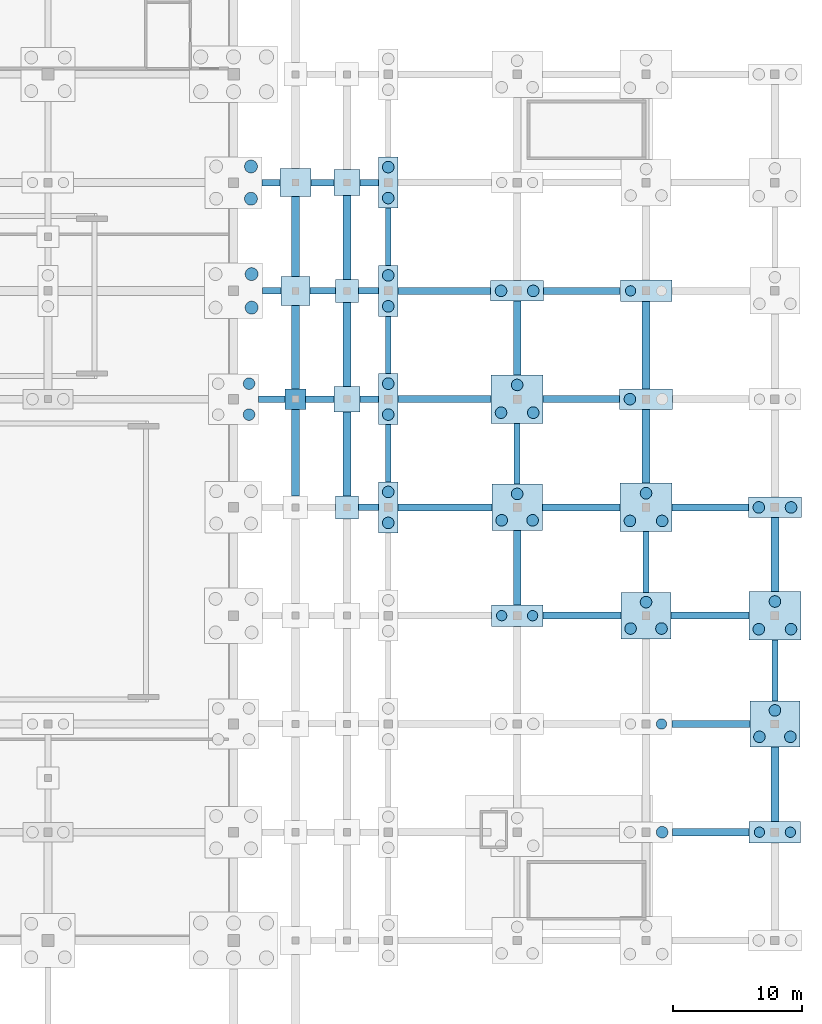
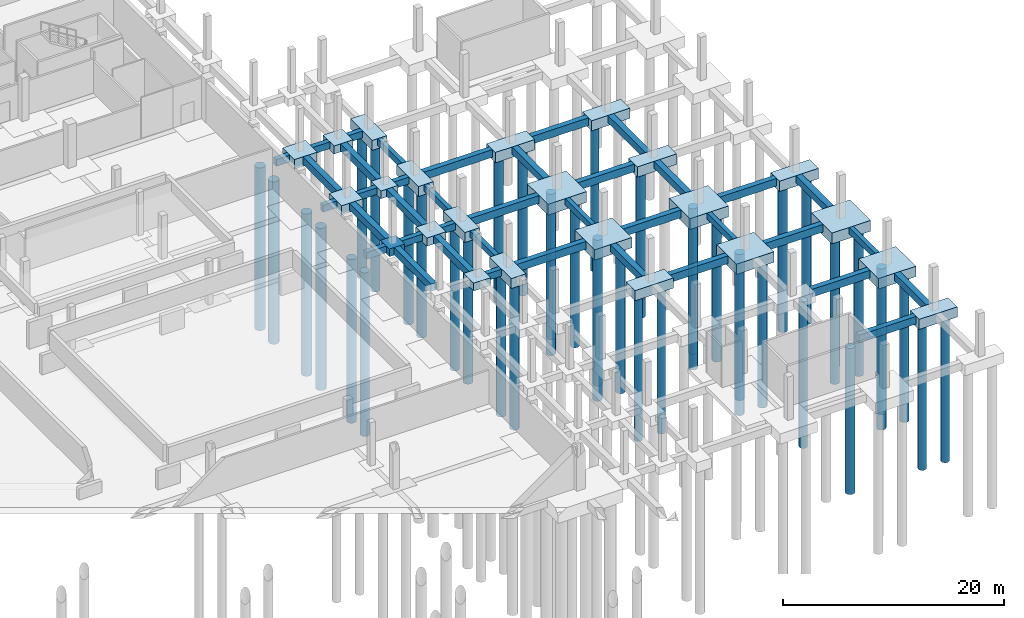
# One storey, part 8 of 26: 62 footings, 44 piles.
"""IFC4 building model written with IfcOpenShell, lengths in metres."""

from ifc_helpers import new_model, si_unit, direction, frame, origin, origin_2d, place, context, subcontext, project, spatial, rectangle, circle, extrude, material, material_profile, profile_set, type_object, element, save


model = new_model("IFC4")

# Units and contexts
model_context = context("Model", 3, precision=1e-05, world=origin(), true_north=direction((0.0, 1.0)))
body_context = subcontext(model_context, "Body", "Model", "MODEL_VIEW")
ifc_project = project(units=[si_unit("LENGTHUNIT", "METRE"), si_unit("AREAUNIT", "SQUARE_METRE"), si_unit("VOLUMEUNIT", "CUBIC_METRE"), si_unit("PLANEANGLEUNIT", "RADIAN"), si_unit("MASSUNIT", "GRAM", prefix="KILO"), si_unit("THERMODYNAMICTEMPERATUREUNIT", "KELVIN")], contexts=[model_context])

# Site, building, storey
site_placement = place(None, origin())
site = spatial("IfcSite", under=ifc_project, at=site_placement, CompositionType="ELEMENT")
building_placement = place(site_placement, origin())
building = spatial("IfcBuilding", under=site, at=building_placement, Name="Nduvali Passage Aquatics Centre", CompositionType="ELEMENT")
storey_placement = place(building_placement, frame((0.0, 0.0, -4.800048828125)))
storey = spatial("IfcBuildingStorey", under=building, at=storey_placement, Name="B01", CompositionType="ELEMENT", Elevation=-4.800048828125)

# Footings
ifc_material = material(Name="Concrete C40/50", Category="concrete")
footing_type_1 = type_object("IfcFootingType", Name="STR-GB-1", PredefinedType="FOOTING_BEAM", material=ifc_material)
footing_1_placement = place(storey_placement, frame((130.800048828125, 63.050048828125, -0.7998046875), z_axis=(0.0, 0.0, 1.0), x_axis=(0.0, 1.0, 0.0)))
element("IfcFooting", 1, at=footing_1_placement, inside=storey, type_object=footing_type_1, Name="Ground Beam Y-0258", PredefinedType="FOOTING_BEAM", context=body_context, shape_type="SweptSolid", body=[
    extrude(rectangle(XDim=6.699951171875, YDim=0.60009765625, at=origin_2d()), origin(), (0.0, 0.0, 1.0), 0.800048828125),
])
footing_2_placement = place(storey_placement, frame((130.800048828125, 71.237548828125, -0.7998046875), z_axis=(0.0, 0.0, 1.0), x_axis=(0.0, 1.0, 0.0)))
element("IfcFooting", 2, at=footing_2_placement, inside=storey, type_object=footing_type_1, Name="Ground Beam Y-0259", PredefinedType="FOOTING_BEAM", context=body_context, shape_type="SweptSolid", body=[
    extrude(rectangle(XDim=6.47509765625, YDim=0.60009765625, at=origin_2d()), origin(), (0.0, 0.0, 1.0), 0.800048828125),
])
footing_3_placement = place(storey_placement, frame((130.800048828125, 79.824951171875, -0.7998046875), z_axis=(0.0, 0.0, 1.0), x_axis=(0.0, 1.0, 0.0)))
element("IfcFooting", 3, at=footing_3_placement, inside=storey, type_object=footing_type_1, Name="Ground Beam Y-0260", PredefinedType="FOOTING_BEAM", context=body_context, shape_type="SweptSolid", body=[
    extrude(rectangle(XDim=6.199951171875, YDim=0.60009765625, at=origin_2d()), origin(), (0.0, 0.0, 1.0), 0.800048828125),
])
for number, where, z_axis, x_axis, name in (
    (4, (134.800048828125, 62.949951171875, -0.7998046875), (0.0, 0.0, 1.0), (0.0, 1.0, 0.0), "Ground Beam Y-0269"),
    (5, (134.800048828125, 71.449951171875, -0.7998046875), (0.0, 0.0, 1.0), (0.0, 1.0, 0.0), "Ground Beam Y-0270"),
    (6, (134.800048828125, 79.75, -0.7998046875), (0.0, 0.0, 1.0), (0.0, 1.0, 0.0), "Ground Beam Y-0271"),
):
    element("IfcFooting", number, at=place(storey_placement, frame(where, z_axis=z_axis, x_axis=x_axis)), inside=storey, type_object=footing_type_1, Name=name, PredefinedType="FOOTING_BEAM", context=body_context, shape_type="SweptSolid", body=[
        extrude(rectangle(XDim=6.5, YDim=0.60009765625, at=origin_2d()), origin(), (0.0, 0.0, 1.0), 0.800048828125),
    ])
footing_4_placement = place(storey_placement, frame((148.0, 54.112548828125, -0.7998046875), z_axis=(0.0, 0.0, 1.0), x_axis=(0.0, 1.0, 0.0)))
element("IfcFooting", 7, at=footing_4_placement, inside=storey, type_object=footing_type_1, Name="Ground Beam Y-0284", PredefinedType="FOOTING_BEAM", context=body_context, shape_type="SweptSolid", body=[
    extrude(rectangle(XDim=5.77490234375, YDim=0.60009765625, at=origin_2d()), origin(), (0.0, 0.0, 1.0), 0.800048828125),
])
for number, where, z_axis, x_axis, name in (
    (8, (148.0, 71.9375, -0.7998046875), (0.0, 0.0, 1.0), (0.0, 1.0, 0.0), "Ground Beam Y-0286"),
    (9, (158.0, 63.53759765625, -0.7998046875), (0.0, 0.0, 1.0), (0.0, 1.0, 0.0), "Ground Beam Y-0293"),
):
    element("IfcFooting", number, at=place(storey_placement, frame(where, z_axis=z_axis, x_axis=x_axis)), inside=storey, type_object=footing_type_1, Name=name, PredefinedType="FOOTING_BEAM", context=body_context, shape_type="SweptSolid", body=[
        extrude(rectangle(XDim=5.72509765625, YDim=0.60009765625, at=origin_2d()), origin(), (0.0, 0.0, 1.0), 0.800048828125),
    ])
footing_5_placement = place(storey_placement, frame((158.0, 71.387451171875, -0.7998046875), z_axis=(0.0, 0.0, 1.0), x_axis=(0.0, 1.0, 0.0)))
element("IfcFooting", 10, at=footing_5_placement, inside=storey, type_object=footing_type_1, Name="Ground Beam Y-0294", PredefinedType="FOOTING_BEAM", context=body_context, shape_type="SweptSolid", body=[
    extrude(rectangle(XDim=6.77490234375, YDim=0.60009765625, at=origin_2d()), origin(), (0.0, 0.0, 1.0), 0.800048828125),
])
footing_6_placement = place(storey_placement, frame((168.0, 37.3125, -0.7998046875), z_axis=(0.0, 0.0, 1.0), x_axis=(0.0, 1.0, 0.0)))
element("IfcFooting", 11, at=footing_6_placement, inside=storey, type_object=footing_type_1, Name="Ground Beam Y-0298", PredefinedType="FOOTING_BEAM", context=body_context, shape_type="SweptSolid", body=[
    extrude(rectangle(XDim=5.77490234375, YDim=0.60009765625, at=origin_2d()), origin(), (0.0, 0.0, 1.0), 0.800048828125),
])
footing_7_placement = place(storey_placement, frame((168.0, 55.137451171875, -0.7998046875), z_axis=(0.0, 0.0, 1.0), x_axis=(0.0, 1.0, 0.0)))
element("IfcFooting", 12, at=footing_7_placement, inside=storey, type_object=footing_type_1, Name="Ground Beam Y-0300", PredefinedType="FOOTING_BEAM", context=body_context, shape_type="SweptSolid", body=[
    extrude(rectangle(XDim=5.72509765625, YDim=0.60009765625, at=origin_2d()), origin(), (0.0, 0.0, 1.0), 0.800048828125),
])
footing_type_2 = type_object("IfcFootingType", Name="STR-GB-2", PredefinedType="FOOTING_BEAM", material=ifc_material)
footing_8_placement = place(storey_placement, frame((136.46240234375, 58.800048828125, -0.75), z_axis=(0.0, 0.0, 1.0), x_axis=(1.0, 0.0, 0.0)))
element("IfcFooting", 13, at=footing_8_placement, inside=storey, type_object=footing_type_2, Name="Ground Beam X-0070", PredefinedType="FOOTING_BEAM", context=body_context, shape_type="SweptSolid", body=[
    extrude(rectangle(XDim=1.52490234375, YDim=0.5, at=origin_2d()), origin(), (0.0, 0.0, 1.0), 0.75),
])
footing_9_placement = place(storey_placement, frame((128.97509765625, 67.199951171875, -0.75), z_axis=(0.0, 0.0, 1.0), x_axis=(1.0, 0.0, 0.0)))
element("IfcFooting", 14, at=footing_9_placement, inside=storey, type_object=footing_type_2, Name="Ground Beam X-0076", PredefinedType="FOOTING_BEAM", context=body_context, shape_type="SweptSolid", body=[
    extrude(rectangle(XDim=2.050048828125, YDim=0.5, at=origin_2d()), origin(), (0.0, 0.0, 1.0), 0.75),
])
footing_10_placement = place(storey_placement, frame((132.699951171875, 67.199951171875, -0.75), z_axis=(0.0, 0.0, 1.0), x_axis=(1.0, 0.0, 0.0)))
element("IfcFooting", 15, at=footing_10_placement, inside=storey, type_object=footing_type_2, Name="Ground Beam X-0077", PredefinedType="FOOTING_BEAM", context=body_context, shape_type="SweptSolid", body=[
    extrude(rectangle(XDim=2.199951171875, YDim=0.5, at=origin_2d()), origin(), (0.0, 0.0, 1.0), 0.75),
])
for number, where, z_axis, x_axis, name in (
    (16, (136.512451171875, 67.199951171875, -0.75), (0.0, 0.0, 1.0), (1.0, 0.0, 0.0), "Ground Beam X-0078"),
    (17, (128.96240234375, 75.60009765625, -0.75), (0.0, 0.0, 1.0), (1.0, 0.0, 0.0), "Ground Beam X-0092"),
):
    element("IfcFooting", number, at=place(storey_placement, frame(where, z_axis=z_axis, x_axis=x_axis)), inside=storey, type_object=footing_type_2, Name=name, PredefinedType="FOOTING_BEAM", context=body_context, shape_type="SweptSolid", body=[
        extrude(rectangle(XDim=1.425048828125, YDim=0.5, at=origin_2d()), origin(), (0.0, 0.0, 1.0), 0.75),
    ])
footing_11_placement = place(storey_placement, frame((132.91259765625, 75.60009765625, -0.75), z_axis=(0.0, 0.0, 1.0), x_axis=(1.0, 0.0, 0.0)))
element("IfcFooting", 18, at=footing_11_placement, inside=storey, type_object=footing_type_2, Name="Ground Beam X-0093", PredefinedType="FOOTING_BEAM", context=body_context, shape_type="SweptSolid", body=[
    extrude(rectangle(XDim=1.97509765625, YDim=0.5, at=origin_2d()), origin(), (0.0, 0.0, 1.0), 0.75),
])
footing_12_placement = place(storey_placement, frame((136.46240234375, 75.60009765625, -0.75), z_axis=(0.0, 0.0, 1.0), x_axis=(1.0, 0.0, 0.0)))
element("IfcFooting", 19, at=footing_12_placement, inside=storey, type_object=footing_type_2, Name="Ground Beam X-0094", PredefinedType="FOOTING_BEAM", context=body_context, shape_type="SweptSolid", body=[
    extrude(rectangle(XDim=1.52490234375, YDim=0.5, at=origin_2d()), origin(), (0.0, 0.0, 1.0), 0.75),
])
footing_13_placement = place(storey_placement, frame((128.89990234375, 84.0, -0.75), z_axis=(0.0, 0.0, 1.0), x_axis=(1.0, 0.0, 0.0)))
element("IfcFooting", 20, at=footing_13_placement, inside=storey, type_object=footing_type_2, Name="Ground Beam X-0108", PredefinedType="FOOTING_BEAM", context=body_context, shape_type="SweptSolid", body=[
    extrude(rectangle(XDim=1.39990234375, YDim=0.5, at=origin_2d()), origin(), (0.0, 0.0, 1.0), 0.75),
])
footing_14_placement = place(storey_placement, frame((132.89990234375, 84.0, -0.75), z_axis=(0.0, 0.0, 1.0), x_axis=(1.0, 0.0, 0.0)))
element("IfcFooting", 21, at=footing_14_placement, inside=storey, type_object=footing_type_2, Name="Ground Beam X-0109", PredefinedType="FOOTING_BEAM", context=body_context, shape_type="SweptSolid", body=[
    extrude(rectangle(XDim=1.800048828125, YDim=0.5, at=origin_2d()), origin(), (0.0, 0.0, 1.0), 0.75),
])
footing_15_placement = place(storey_placement, frame((136.512451171875, 84.0, -0.75), z_axis=(0.0, 0.0, 1.0), x_axis=(1.0, 0.0, 0.0)))
element("IfcFooting", 22, at=footing_15_placement, inside=storey, type_object=footing_type_2, Name="Ground Beam X-0110", PredefinedType="FOOTING_BEAM", context=body_context, shape_type="SweptSolid", body=[
    extrude(rectangle(XDim=1.425048828125, YDim=0.5, at=origin_2d()), origin(), (0.0, 0.0, 1.0), 0.75),
])
footing_type_3 = type_object("IfcFootingType", Name="STR-GB-4", PredefinedType="FOOTING_BEAM", material=ifc_material)
footing_16_placement = place(storey_placement, frame((163.02490234375, 33.60009765625, -0.85009765625), z_axis=(0.0, 0.0, 1.0), x_axis=(1.0, 0.0, 0.0)))
element("IfcFooting", 23, at=footing_16_placement, inside=storey, type_object=footing_type_3, Name="Ground Beam X-0045", PredefinedType="FOOTING_BEAM", context=body_context, shape_type="SweptSolid", body=[
    extrude(rectangle(XDim=5.949951171875, YDim=0.550048828125, at=origin_2d()), origin(), (0.0, 0.0, 1.0), 0.85009765625),
])
for number, where, z_axis, x_axis, name in (
    (24, (163.02490234375, 42.0, -0.85009765625), (0.0, 0.0, 1.0), (1.0, 0.0, 0.0), "Ground Beam X-0061"),
    (25, (153.02490234375, 50.39990234375, -0.85009765625), (0.0, 0.0, 1.0), (1.0, 0.0, 0.0), "Ground Beam X-0066"),
):
    element("IfcFooting", number, at=place(storey_placement, frame(where, z_axis=z_axis, x_axis=x_axis)), inside=storey, type_object=footing_type_3, Name=name, PredefinedType="FOOTING_BEAM", context=body_context, shape_type="SweptSolid", body=[
        extrude(rectangle(XDim=6.050048828125, YDim=0.550048828125, at=origin_2d()), origin(), (0.0, 0.0, 1.0), 0.85009765625),
    ])
footing_17_placement = place(storey_placement, frame((162.96240234375, 50.39990234375, -0.85009765625), z_axis=(0.0, 0.0, 1.0), x_axis=(1.0, 0.0, 0.0)))
element("IfcFooting", 26, at=footing_17_placement, inside=storey, type_object=footing_type_3, Name="Ground Beam X-0067", PredefinedType="FOOTING_BEAM", context=body_context, shape_type="SweptSolid", body=[
    extrude(rectangle(XDim=6.02490234375, YDim=0.550048828125, at=origin_2d()), origin(), (0.0, 0.0, 1.0), 0.85009765625),
])
footing_18_placement = place(storey_placement, frame((142.41259765625, 58.800048828125, -0.85009765625), z_axis=(0.0, 0.0, 1.0), x_axis=(1.0, 0.0, 0.0)))
element("IfcFooting", 27, at=footing_18_placement, inside=storey, type_object=footing_type_3, Name="Ground Beam X-0071", PredefinedType="FOOTING_BEAM", context=body_context, shape_type="SweptSolid", body=[
    extrude(rectangle(XDim=7.27490234375, YDim=0.550048828125, at=origin_2d()), origin(), (0.0, 0.0, 1.0), 0.85009765625),
])
footing_19_placement = place(storey_placement, frame((152.96240234375, 58.800048828125, -0.85009765625), z_axis=(0.0, 0.0, 1.0), x_axis=(1.0, 0.0, 0.0)))
element("IfcFooting", 28, at=footing_19_placement, inside=storey, type_object=footing_type_3, Name="Ground Beam X-0072", PredefinedType="FOOTING_BEAM", context=body_context, shape_type="SweptSolid", body=[
    extrude(rectangle(XDim=6.02490234375, YDim=0.550048828125, at=origin_2d()), origin(), (0.0, 0.0, 1.0), 0.85009765625),
])
footing_20_placement = place(storey_placement, frame((162.987548828125, 58.800048828125, -0.85009765625), z_axis=(0.0, 0.0, 1.0), x_axis=(1.0, 0.0, 0.0)))
element("IfcFooting", 29, at=footing_20_placement, inside=storey, type_object=footing_type_3, Name="Ground Beam X-0073", PredefinedType="FOOTING_BEAM", context=body_context, shape_type="SweptSolid", body=[
    extrude(rectangle(XDim=5.925048828125, YDim=0.550048828125, at=origin_2d()), origin(), (0.0, 0.0, 1.0), 0.85009765625),
])
footing_21_placement = place(storey_placement, frame((142.375, 67.199951171875, -0.85009765625), z_axis=(0.0, 0.0, 1.0), x_axis=(1.0, 0.0, 0.0)))
element("IfcFooting", 30, at=footing_21_placement, inside=storey, type_object=footing_type_3, Name="Ground Beam X-0079", PredefinedType="FOOTING_BEAM", context=body_context, shape_type="SweptSolid", body=[
    extrude(rectangle(XDim=7.199951171875, YDim=0.550048828125, at=origin_2d()), origin(), (0.0, 0.0, 1.0), 0.85009765625),
])
footing_22_placement = place(storey_placement, frame((152.987548828125, 67.199951171875, -0.85009765625), z_axis=(0.0, 0.0, 1.0), x_axis=(1.0, 0.0, 0.0)))
element("IfcFooting", 31, at=footing_22_placement, inside=storey, type_object=footing_type_3, Name="Ground Beam X-0080", PredefinedType="FOOTING_BEAM", context=body_context, shape_type="SweptSolid", body=[
    extrude(rectangle(XDim=5.925048828125, YDim=0.550048828125, at=origin_2d()), origin(), (0.0, 0.0, 1.0), 0.85009765625),
])
footing_23_placement = place(storey_placement, frame((142.362548828125, 75.60009765625, -0.85009765625), z_axis=(0.0, 0.0, 1.0), x_axis=(1.0, 0.0, 0.0)))
element("IfcFooting", 32, at=footing_23_placement, inside=storey, type_object=footing_type_3, Name="Ground Beam X-0095", PredefinedType="FOOTING_BEAM", context=body_context, shape_type="SweptSolid", body=[
    extrude(rectangle(XDim=7.175048828125, YDim=0.550048828125, at=origin_2d()), origin(), (0.0, 0.0, 1.0), 0.85009765625),
])
footing_24_placement = place(storey_placement, frame((153.02490234375, 75.60009765625, -0.85009765625), z_axis=(0.0, 0.0, 1.0), x_axis=(1.0, 0.0, 0.0)))
element("IfcFooting", 33, at=footing_24_placement, inside=storey, type_object=footing_type_3, Name="Ground Beam X-0096", PredefinedType="FOOTING_BEAM", context=body_context, shape_type="SweptSolid", body=[
    extrude(rectangle(XDim=5.949951171875, YDim=0.550048828125, at=origin_2d()), origin(), (0.0, 0.0, 1.0), 0.85009765625),
])
footing_type_4 = type_object("IfcFootingType", Name="STR-GB-6", PredefinedType="FOOTING_BEAM", material=ifc_material)
for number, where, z_axis, x_axis, name in (
    (34, (138.0, 63.0, -0.69970703125), (0.0, 0.0, 1.0), (0.0, 1.0, 0.0), "Ground Beam Y-0277"),
    (35, (138.0, 71.39990234375, -0.69970703125), (0.0, 0.0, 1.0), (0.0, 1.0, 0.0), "Ground Beam Y-0278"),
    (36, (138.0, 79.800048828125, -0.69970703125), (0.0, 0.0, 1.0), (0.0, 1.0, 0.0), "Ground Beam Y-0279"),
):
    element("IfcFooting", number, at=place(storey_placement, frame(where, z_axis=z_axis, x_axis=x_axis)), inside=storey, type_object=footing_type_4, Name=name, PredefinedType="FOOTING_BEAM", context=body_context, shape_type="SweptSolid", body=[
        extrude(rectangle(XDim=4.449951171875, YDim=0.449951171875, at=origin_2d()), origin(), (0.0, 0.0, 1.0), 0.699951171875),
    ])
for number, where, z_axis, x_axis, name in (
    (37, (148.0, 62.96240234375, -0.69970703125), (0.0, 0.0, 1.0), (0.0, 1.0, 0.0), "Ground Beam Y-0285"),
    (38, (158.0, 54.5625, -0.69970703125), (0.0, 0.0, 1.0), (0.0, 1.0, 0.0), "Ground Beam Y-0292"),
    (39, (168.0, 46.16259765625, -0.69970703125), (0.0, 0.0, 1.0), (0.0, 1.0, 0.0), "Ground Beam Y-0299"),
):
    element("IfcFooting", number, at=place(storey_placement, frame(where, z_axis=z_axis, x_axis=x_axis)), inside=storey, type_object=footing_type_4, Name=name, PredefinedType="FOOTING_BEAM", context=body_context, shape_type="SweptSolid", body=[
        extrude(rectangle(XDim=4.72509765625, YDim=0.449951171875, at=origin_2d()), origin(), (0.0, 0.0, 1.0), 0.699951171875),
    ])
footing_type_5 = type_object("IfcFootingType", Name="STR-PC-2B", PredefinedType="PILE_CAP", material=ifc_material)
for number, where, z_axis, x_axis, name in (
    (40, (138.0, 58.800048828125, -1.10009765625), (0.0, 0.0, 1.0), (1.0, 0.0, 0.0), "Pile Cap PC2B at (138.0, 58.8)"),
    (41, (138.0, 67.199951171875, -1.10009765625), (0.0, 0.0, 1.0), (1.0, 0.0, 0.0), "Pile Cap PC2B at (138.0, 67.2)"),
    (42, (138.0, 75.60009765625, -1.10009765625), (0.0, 0.0, 1.0), (1.0, 0.0, 0.0), "Pile Cap PC2B at (138.0, 75.6)"),
    (43, (138.0, 84.0, -1.10009765625), (0.0, 0.0, 1.0), (1.0, 0.0, 0.0), "Pile Cap PC2B at (138.0, 84.0)"),
):
    element("IfcFooting", number, at=place(storey_placement, frame(where, z_axis=z_axis, x_axis=x_axis)), inside=storey, type_object=footing_type_5, Name=name, PredefinedType="PILE_CAP", context=body_context, shape_type="SweptSolid", body=[
        extrude(rectangle(XDim=1.550048828125, YDim=3.949951171875, at=origin_2d()), origin(), (0.0, 0.0, 1.0), 1.10009765625),
    ])
footing_type_6 = type_object("IfcFootingType", Name="STR-PC-2C", PredefinedType="PILE_CAP", material=ifc_material)
for number, where, z_axis, x_axis, name in (
    (44, (148.0, 75.60009765625, -1.14990234375), (0.0, 0.0, 1.0), (1.0, 0.0, 0.0), "Pile Cap PC2C at (148.0, 75.6)"),
    (45, (158.0, 67.199951171875, -1.14990234375), (0.0, 0.0, 1.0), (1.0, 0.0, 0.0), "Pile Cap PC2C at (158.0, 67.2)"),
    (46, (168.0, 58.800048828125, -1.14990234375), (0.0, 0.0, 1.0), (1.0, 0.0, 0.0), "Pile Cap PC2C at (168.0, 58.8)"),
):
    element("IfcFooting", number, at=place(storey_placement, frame(where, z_axis=z_axis, x_axis=x_axis)), inside=storey, type_object=footing_type_6, Name=name, PredefinedType="PILE_CAP", context=body_context, shape_type="SweptSolid", body=[
        extrude(rectangle(XDim=4.10009765625, YDim=1.60009765625, at=origin_2d()), origin(), (0.0, 0.0, 1.0), 1.14990234375),
    ])
footing_type_7 = type_object("IfcFootingType", Name="STR-PC-2D", PredefinedType="PILE_CAP", material=ifc_material)
for number, where, z_axis, x_axis, name in (
    (47, (148.0, 50.39990234375, -1.1201171875), (0.0, 0.0, 1.0), (1.0, 0.0, 0.0), "Pile Cap PC2D at (148.0, 50.4)"),
    (48, (158.0, 75.60009765625, -1.1201171875), (0.0, 0.0, 1.0), (1.0, 0.0, 0.0), "Pile Cap PC2D at (158.0, 75.6)"),
    (49, (168.0, 33.60009765625, -1.1201171875), (0.0, 0.0, 1.0), (1.0, 0.0, 0.0), "Pile Cap PC2D at (168.0, 33.6)"),
):
    element("IfcFooting", number, at=place(storey_placement, frame(where, z_axis=z_axis, x_axis=x_axis)), inside=storey, type_object=footing_type_7, Name=name, PredefinedType="PILE_CAP", context=body_context, shape_type="SweptSolid", body=[
        extrude(rectangle(XDim=4.0, YDim=1.64990234375, at=origin_2d()), origin(), (0.0, 0.0, 1.0), 1.1201171875),
    ])
footing_type_8 = type_object("IfcFootingType", Name="STR-PC-3A", PredefinedType="PILE_CAP", material=ifc_material)
for number, where, z_axis, x_axis, name in (
    (50, (148.0, 58.800048828125, -1.14990234375), (0.0, 0.0, 1.0), (1.0, 0.0, 0.0), "Pile Cap PC3A at (148.0, 58.8)"),
    (51, (158.0, 50.39990234375, -1.14990234375), (0.0, 0.0, 1.0), (1.0, 0.0, 0.0), "Pile Cap PC3A at (158.0, 50.4)"),
    (52, (168.0, 42.0, -1.14990234375), (0.0, 0.0, 1.0), (1.0, 0.0, 0.0), "Pile Cap PC3A at (168.0, 42.0)"),
):
    element("IfcFooting", number, at=place(storey_placement, frame(where, z_axis=z_axis, x_axis=x_axis)), inside=storey, type_object=footing_type_8, Name=name, PredefinedType="PILE_CAP", context=body_context, shape_type="SweptSolid", body=[
        extrude(rectangle(XDim=3.89990234375, YDim=3.60009765625, at=origin_2d()), origin(), (0.0, 0.0, 1.0), 1.14990234375),
    ])
footing_type_9 = type_object("IfcFootingType", Name="STR-PC-3B", PredefinedType="PILE_CAP", material=ifc_material)
for number, where, z_axis, x_axis, name in (
    (53, (148.0, 67.199951171875, -1.19970703125), (0.0, 0.0, 1.0), (1.0, 0.0, 0.0), "Pile Cap PC3B at (148.0, 67.2)"),
    (54, (158.0, 58.800048828125, -1.19970703125), (0.0, 0.0, 1.0), (1.0, 0.0, 0.0), "Pile Cap PC3B at (158.0, 58.8)"),
    (55, (168.0, 50.39990234375, -1.19970703125), (0.0, 0.0, 1.0), (1.0, 0.0, 0.0), "Pile Cap PC3B at (168.0, 50.4)"),
):
    element("IfcFooting", number, at=place(storey_placement, frame(where, z_axis=z_axis, x_axis=x_axis)), inside=storey, type_object=footing_type_9, Name=name, PredefinedType="PILE_CAP", context=body_context, shape_type="SweptSolid", body=[
        extrude(rectangle(XDim=4.050048828125, YDim=3.75, at=origin_2d()), origin(), (0.0, 0.0, 1.0), 1.199951171875),
    ])
footing_type_10 = type_object("IfcFootingType", Name="STR-PF-1", PredefinedType="PAD_FOOTING", material=ifc_material)
for number, where, z_axis, x_axis, name in (
    (56, (134.800048828125, 58.800048828125, -0.85009765625), (0.0, 0.0, 1.0), (1.0, 0.0, 0.0), "Pad Footing PF1 at (134.8, 58.8)"),
    (57, (134.800048828125, 75.60009765625, -0.85009765625), (0.0, 0.0, 1.0), (1.0, 0.0, 0.0), "Pad Footing PF1 at (134.8, 75.6)"),
):
    element("IfcFooting", number, at=place(storey_placement, frame(where, z_axis=z_axis, x_axis=x_axis)), inside=storey, type_object=footing_type_10, Name=name, PredefinedType="PAD_FOOTING", context=body_context, shape_type="SweptSolid", body=[
        extrude(rectangle(XDim=1.800048828125, YDim=1.800048828125, at=origin_2d()), origin(), (0.0, 0.0, 1.0), 0.85009765625),
    ])
footing_type_11 = type_object("IfcFootingType", Name="STR-PF-2", PredefinedType="PAD_FOOTING", material=ifc_material)
for number, where, z_axis, x_axis, name in (
    (58, (134.800048828125, 67.199951171875, -0.89990234375), (0.0, 0.0, 1.0), (1.0, 0.0, 0.0), "Pad Footing PF2 at (134.8, 67.2)"),
    (59, (134.800048828125, 84.0, -0.89990234375), (0.0, 0.0, 1.0), (1.0, 0.0, 0.0), "Pad Footing PF2 at (134.8, 84.0)"),
):
    element("IfcFooting", number, at=place(storey_placement, frame(where, z_axis=z_axis, x_axis=x_axis)), inside=storey, type_object=footing_type_11, Name=name, PredefinedType="PAD_FOOTING", context=body_context, shape_type="SweptSolid", body=[
        extrude(rectangle(XDim=2.0, YDim=2.0, at=origin_2d()), origin(), (0.0, 0.0, 1.0), 0.89990234375),
    ])
footing_type_12 = type_object("IfcFootingType", Name="STR-PF-6", PredefinedType="PAD_FOOTING", material=ifc_material)
footing_25_placement = place(storey_placement, frame((130.800048828125, 75.60009765625, -1.0), z_axis=(0.0, 0.0, 1.0), x_axis=(1.0, 0.0, 0.0)))
element("IfcFooting", 60, at=footing_25_placement, inside=storey, type_object=footing_type_12, Name="Pad Footing PF6 at (130.8, 75.6)", PredefinedType="PAD_FOOTING", context=body_context, shape_type="SweptSolid", body=[
    extrude(rectangle(XDim=2.25, YDim=2.25, at=origin_2d()), origin(), (0.0, 0.0, 1.0), 1.0),
])
footing_type_13 = type_object("IfcFootingType", Name="STR-PF-7", PredefinedType="PAD_FOOTING", material=ifc_material)
footing_26_placement = place(storey_placement, frame((130.800048828125, 84.0, -1.0498046875), z_axis=(0.0, 0.0, 1.0), x_axis=(1.0, 0.0, 0.0)))
element("IfcFooting", 61, at=footing_26_placement, inside=storey, type_object=footing_type_13, Name="Pad Footing PF7 at (130.8, 84.0)", PredefinedType="PAD_FOOTING", context=body_context, shape_type="SweptSolid", body=[
    extrude(rectangle(XDim=2.39990234375, YDim=2.14990234375, at=origin_2d()), origin(), (0.0, 0.0, 1.0), 1.050048828125),
])
footing_type_14 = type_object("IfcFootingType", Name="STR-PF-DIVE", PredefinedType="PAD_FOOTING", material=ifc_material)
footing_27_placement = place(storey_placement, frame((130.800048828125, 67.199951171875, -0.85009765625), z_axis=(0.0, 0.0, 1.0), x_axis=(1.0, 0.0, 0.0)))
element("IfcFooting", 62, at=footing_27_placement, inside=storey, type_object=footing_type_14, Name="Pad Footing PF5 at (130.8, 67.2)", PredefinedType="PAD_FOOTING", context=body_context, shape_type="SweptSolid", body=[
    extrude(rectangle(XDim=1.60009765625, YDim=1.60009765625, at=origin_2d()), origin(), (0.0, 0.0, 1.0), 0.85009765625),
])

# Piles
ifc_material_profile_1 = material_profile(ifc_material, circle(Radius=0.5, at=origin_2d()), Name="PILE D1000")
ifc_profile_set_1 = profile_set([ifc_material_profile_1], Name="Concrete C40/50")
pile_type_1 = type_object("IfcPileType", Name="STR-PILE-D1000", PredefinedType="BORED", material=ifc_profile_set_1)
for number, where, z_axis, x_axis, name in (
    (63, (127.39990234375, 74.300048828125, -1.25), (0.0, 0.0, -1.0), (1.0, 0.0, 0.0), "Bored Pile 137-2"),
    (64, (127.39990234375, 76.89990234375, -1.25), (0.0, 0.0, -1.0), (1.0, 0.0, 0.0), "Bored Pile 137-4"),
):
    element("IfcPile", number, at=place(storey_placement, frame(where, z_axis=z_axis, x_axis=x_axis)), inside=storey, type_object=pile_type_1, Name=name, PredefinedType="BORED", context=body_context, shape_type="SweptSolid", body=[
        extrude(circle(Radius=0.5, at=origin_2d()), origin(), (0.0, 0.0, 1.0), 17.949951171875),
    ])
for number, where, z_axis, x_axis, name in (
    (65, (127.35009765625, 82.75, -1.199951171875), (0.0, 0.0, -1.0), (1.0, 0.0, 0.0), "Bored Pile 138-2"),
    (66, (127.35009765625, 85.25, -1.199951171875), (0.0, 0.0, -1.0), (1.0, 0.0, 0.0), "Bored Pile 138-4"),
):
    element("IfcPile", number, at=place(storey_placement, frame(where, z_axis=z_axis, x_axis=x_axis)), inside=storey, type_object=pile_type_1, Name=name, PredefinedType="BORED", context=body_context, shape_type="SweptSolid", body=[
        extrude(circle(Radius=0.5, at=origin_2d()), origin(), (0.0, 0.0, 1.0), 18.0),
    ])
ifc_material_profile_2 = material_profile(ifc_material, circle(Radius=0.39990234375, at=origin_2d()), Name="PILE D800")
ifc_profile_set_2 = profile_set([ifc_material_profile_2], Name="Concrete C40/50")
pile_type_2 = type_object("IfcPileType", Name="STR-PILE-D800", PredefinedType="BORED", material=ifc_profile_set_2)
for number, where, z_axis, x_axis, name in (
    (67, (146.800048828125, 50.39990234375, -1.02001953125), (0.0, 0.0, -1.0), (1.0, 0.0, 0.0), "Bored Pile 179-1"),
    (68, (149.199951171875, 50.39990234375, -1.02001953125), (0.0, 0.0, -1.0), (1.0, 0.0, 0.0), "Bored Pile 179-2"),
    (69, (159.199951171875, 42.0, -1.02001953125), (0.0, 0.0, -1.0), (1.0, 0.0, 0.0), "Bored Pile 187-2"),
    (70, (156.800048828125, 75.60009765625, -1.02001953125), (0.0, 0.0, -1.0), (1.0, 0.0, 0.0), "Bored Pile 191-1"),
    (71, (166.800048828125, 33.60009765625, -1.02001953125), (0.0, 0.0, -1.0), (1.0, 0.0, 0.0), "Bored Pile 195-1"),
    (72, (169.199951171875, 33.60009765625, -1.02001953125), (0.0, 0.0, -1.0), (1.0, 0.0, 0.0), "Bored Pile 195-2"),
):
    element("IfcPile", number, at=place(storey_placement, frame(where, z_axis=z_axis, x_axis=x_axis)), inside=storey, type_object=pile_type_2, Name=name, PredefinedType="BORED", context=body_context, shape_type="SweptSolid", body=[
        extrude(circle(Radius=0.39990234375, at=origin_2d()), origin(), (0.0, 0.0, 1.0), 16.179931640625),
    ])
ifc_material_profile_3 = material_profile(ifc_material, circle(Radius=0.449951171875, at=origin_2d()), Name="PILE D900")
ifc_profile_set_3 = profile_set([ifc_material_profile_3], Name="Concrete C40/50")
pile_type_3 = type_object("IfcPileType", Name="STR-PILE-D900", PredefinedType="BORED", material=ifc_profile_set_3)
for number, where, z_axis, x_axis, name in (
    (73, (127.199951171875, 66.0, -1.099853515625), (0.0, 0.0, -1.0), (1.0, 0.0, 0.0), "Bored Pile 136-2"),
    (74, (127.199951171875, 68.39990234375, -1.099853515625), (0.0, 0.0, -1.0), (1.0, 0.0, 0.0), "Bored Pile 136-4"),
):
    element("IfcPile", number, at=place(storey_placement, frame(where, z_axis=z_axis, x_axis=x_axis)), inside=storey, type_object=pile_type_3, Name=name, PredefinedType="BORED", context=body_context, shape_type="SweptSolid", body=[
        extrude(circle(Radius=0.449951171875, at=origin_2d()), origin(), (0.0, 0.0, 1.0), 18.10009765625),
    ])
for number, where, z_axis, x_axis, name in (
    (75, (138.0, 57.60009765625, -1.0), (0.0, 0.0, -1.0), (1.0, 0.0, 0.0), "Bored Pile 171-1"),
    (76, (138.0, 60.0, -1.0), (0.0, 0.0, -1.0), (1.0, 0.0, 0.0), "Bored Pile 171-2"),
    (77, (138.0, 66.0, -1.0), (0.0, 0.0, -1.0), (1.0, 0.0, 0.0), "Bored Pile 172-1"),
    (78, (138.0, 68.39990234375, -1.0), (0.0, 0.0, -1.0), (1.0, 0.0, 0.0), "Bored Pile 172-2"),
    (79, (138.0, 74.39990234375, -1.0), (0.0, 0.0, -1.0), (1.0, 0.0, 0.0), "Bored Pile 173-1"),
    (80, (138.0, 76.800048828125, -1.0), (0.0, 0.0, -1.0), (1.0, 0.0, 0.0), "Bored Pile 173-2"),
    (81, (138.0, 82.800048828125, -1.0), (0.0, 0.0, -1.0), (1.0, 0.0, 0.0), "Bored Pile 174-1"),
    (82, (138.0, 85.199951171875, -1.0), (0.0, 0.0, -1.0), (1.0, 0.0, 0.0), "Bored Pile 174-2"),
):
    element("IfcPile", number, at=place(storey_placement, frame(where, z_axis=z_axis, x_axis=x_axis)), inside=storey, type_object=pile_type_3, Name=name, PredefinedType="BORED", context=body_context, shape_type="SweptSolid", body=[
        extrude(circle(Radius=0.449951171875, at=origin_2d()), origin(), (0.0, 0.0, 1.0), 16.199951171875),
    ])
for number, where, z_axis, x_axis, name in (
    (83, (146.800048828125, 57.800048828125, -1.050048828125), (0.0, 0.0, -1.0), (1.0, 0.0, 0.0), "Bored Pile 180-1"),
    (84, (149.199951171875, 57.800048828125, -1.050048828125), (0.0, 0.0, -1.0), (1.0, 0.0, 0.0), "Bored Pile 180-2"),
    (85, (148.0, 59.85009765625, -1.050048828125), (0.0, 0.0, -1.0), (1.0, 0.0, 0.0), "Bored Pile 180-3"),
):
    element("IfcPile", number, at=place(storey_placement, frame(where, z_axis=z_axis, x_axis=x_axis)), inside=storey, type_object=pile_type_3, Name=name, PredefinedType="BORED", context=body_context, shape_type="SweptSolid", body=[
        extrude(circle(Radius=0.449951171875, at=origin_2d()), origin(), (0.0, 0.0, 1.0), 16.14990234375),
    ])
for number, where, z_axis, x_axis, name in (
    (86, (146.75, 66.14990234375, -1.099853515625), (0.0, 0.0, -1.0), (1.0, 0.0, 0.0), "Bored Pile 181-1"),
    (87, (149.25, 66.14990234375, -1.099853515625), (0.0, 0.0, -1.0), (1.0, 0.0, 0.0), "Bored Pile 181-2"),
    (88, (148.0, 68.300048828125, -1.099853515625), (0.0, 0.0, -1.0), (1.0, 0.0, 0.0), "Bored Pile 181-3"),
):
    element("IfcPile", number, at=place(storey_placement, frame(where, z_axis=z_axis, x_axis=x_axis)), inside=storey, type_object=pile_type_3, Name=name, PredefinedType="BORED", context=body_context, shape_type="SweptSolid", body=[
        extrude(circle(Radius=0.449951171875, at=origin_2d()), origin(), (0.0, 0.0, 1.0), 16.10009765625),
    ])
for number, where, z_axis, x_axis, name in (
    (89, (146.75, 75.60009765625, -1.050048828125), (0.0, 0.0, -1.0), (1.0, 0.0, 0.0), "Bored Pile 182-1"),
    (90, (149.25, 75.60009765625, -1.050048828125), (0.0, 0.0, -1.0), (1.0, 0.0, 0.0), "Bored Pile 182-2"),
    (91, (159.25, 33.60009765625, -1.050048828125), (0.0, 0.0, -1.0), (1.0, 0.0, 0.0), "Bored Pile 186-2"),
    (92, (156.800048828125, 49.39990234375, -1.050048828125), (0.0, 0.0, -1.0), (1.0, 0.0, 0.0), "Bored Pile 188-1"),
    (93, (159.199951171875, 49.39990234375, -1.050048828125), (0.0, 0.0, -1.0), (1.0, 0.0, 0.0), "Bored Pile 188-2"),
    (94, (158.0, 51.449951171875, -1.050048828125), (0.0, 0.0, -1.0), (1.0, 0.0, 0.0), "Bored Pile 188-3"),
):
    element("IfcPile", number, at=place(storey_placement, frame(where, z_axis=z_axis, x_axis=x_axis)), inside=storey, type_object=pile_type_3, Name=name, PredefinedType="BORED", context=body_context, shape_type="SweptSolid", body=[
        extrude(circle(Radius=0.449951171875, at=origin_2d()), origin(), (0.0, 0.0, 1.0), 16.14990234375),
    ])
for number, where, z_axis, x_axis, name in (
    (95, (156.75, 57.75, -1.099853515625), (0.0, 0.0, -1.0), (1.0, 0.0, 0.0), "Bored Pile 189-1"),
    (96, (159.25, 57.75, -1.099853515625), (0.0, 0.0, -1.0), (1.0, 0.0, 0.0), "Bored Pile 189-2"),
    (97, (158.0, 59.89990234375, -1.099853515625), (0.0, 0.0, -1.0), (1.0, 0.0, 0.0), "Bored Pile 189-3"),
):
    element("IfcPile", number, at=place(storey_placement, frame(where, z_axis=z_axis, x_axis=x_axis)), inside=storey, type_object=pile_type_3, Name=name, PredefinedType="BORED", context=body_context, shape_type="SweptSolid", body=[
        extrude(circle(Radius=0.449951171875, at=origin_2d()), origin(), (0.0, 0.0, 1.0), 16.10009765625),
    ])
for number, where, z_axis, x_axis, name in (
    (98, (156.75, 67.199951171875, -1.050048828125), (0.0, 0.0, -1.0), (1.0, 0.0, 0.0), "Bored Pile 190-1"),
    (99, (166.800048828125, 41.0, -1.050048828125), (0.0, 0.0, -1.0), (1.0, 0.0, 0.0), "Bored Pile 196-1"),
    (100, (169.199951171875, 41.0, -1.050048828125), (0.0, 0.0, -1.0), (1.0, 0.0, 0.0), "Bored Pile 196-2"),
    (101, (168.0, 43.050048828125, -1.050048828125), (0.0, 0.0, -1.0), (1.0, 0.0, 0.0), "Bored Pile 196-3"),
):
    element("IfcPile", number, at=place(storey_placement, frame(where, z_axis=z_axis, x_axis=x_axis)), inside=storey, type_object=pile_type_3, Name=name, PredefinedType="BORED", context=body_context, shape_type="SweptSolid", body=[
        extrude(circle(Radius=0.449951171875, at=origin_2d()), origin(), (0.0, 0.0, 1.0), 16.14990234375),
    ])
for number, where, z_axis, x_axis, name in (
    (102, (166.75, 49.35009765625, -1.099853515625), (0.0, 0.0, -1.0), (1.0, 0.0, 0.0), "Bored Pile 197-1"),
    (103, (169.25, 49.35009765625, -1.099853515625), (0.0, 0.0, -1.0), (1.0, 0.0, 0.0), "Bored Pile 197-2"),
    (104, (168.0, 51.5, -1.099853515625), (0.0, 0.0, -1.0), (1.0, 0.0, 0.0), "Bored Pile 197-3"),
):
    element("IfcPile", number, at=place(storey_placement, frame(where, z_axis=z_axis, x_axis=x_axis)), inside=storey, type_object=pile_type_3, Name=name, PredefinedType="BORED", context=body_context, shape_type="SweptSolid", body=[
        extrude(circle(Radius=0.449951171875, at=origin_2d()), origin(), (0.0, 0.0, 1.0), 16.10009765625),
    ])
for number, where, z_axis, x_axis, name in (
    (105, (166.75, 58.800048828125, -1.050048828125), (0.0, 0.0, -1.0), (1.0, 0.0, 0.0), "Bored Pile 198-1"),
    (106, (169.25, 58.800048828125, -1.050048828125), (0.0, 0.0, -1.0), (1.0, 0.0, 0.0), "Bored Pile 198-2"),
):
    element("IfcPile", number, at=place(storey_placement, frame(where, z_axis=z_axis, x_axis=x_axis)), inside=storey, type_object=pile_type_3, Name=name, PredefinedType="BORED", context=body_context, shape_type="SweptSolid", body=[
        extrude(circle(Radius=0.449951171875, at=origin_2d()), origin(), (0.0, 0.0, 1.0), 16.14990234375),
    ])

save(model, "model.ifc")
